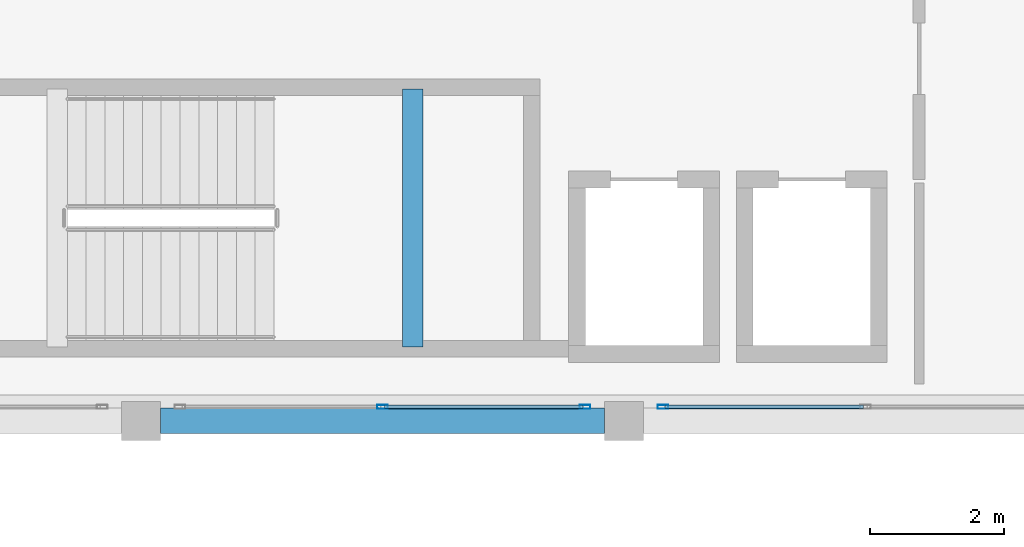
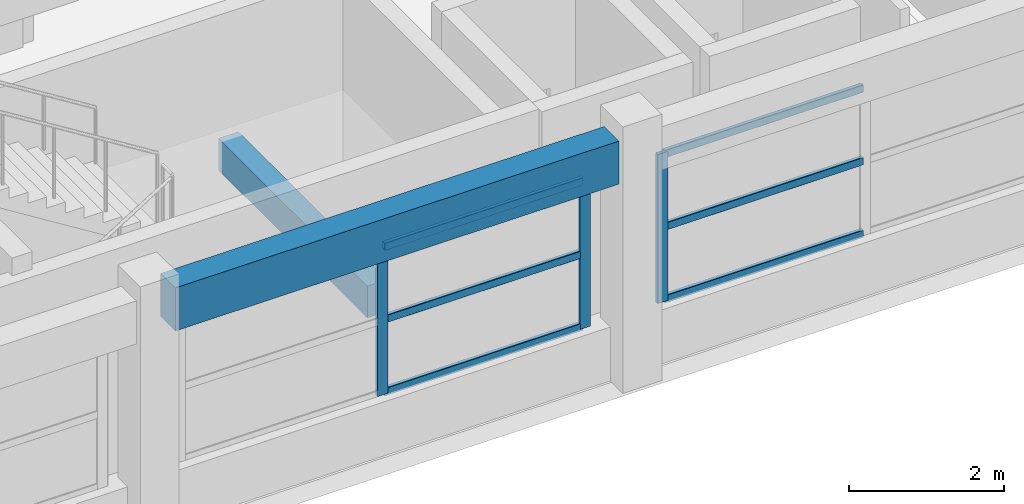
# One storey, part 9 of 49: 9 members, 2 beams, 2 elements without a shape of their own.
"""IFC4 building model written with IfcOpenShell, lengths in metres."""

from ifc_helpers import new_model, si_unit, direction, frame, origin, origin_2d, place, context, subcontext, project, spatial, rectangle, hollow_rectangle, extrude, material, material_profile, profile_set, type_object, element, aggregate, save


model = new_model("IFC4")

# Units and contexts
model_context = context("Model", 3, precision=1e-05, world=origin(), true_north=direction((0.0, 1.0)))
body_context = subcontext(model_context, "Body", "Model", "MODEL_VIEW")
ifc_project = project(units=[si_unit("LENGTHUNIT", "METRE"), si_unit("AREAUNIT", "SQUARE_METRE"), si_unit("VOLUMEUNIT", "CUBIC_METRE"), si_unit("PLANEANGLEUNIT", "RADIAN"), si_unit("MASSUNIT", "GRAM", prefix="KILO")], contexts=[model_context])

# Site, building, storey
site_placement = place(None, origin())
site = spatial("IfcSite", under=ifc_project, at=site_placement, CompositionType="ELEMENT")
building_placement = place(site_placement, origin())
building = spatial("IfcBuilding", under=site, at=building_placement, Name="Bramveld Media Centre", CompositionType="ELEMENT")
storey_placement = place(building_placement, frame((0.0, 0.0, 9.60009765625)))
storey = spatial("IfcBuildingStorey", under=building, at=storey_placement, Name="L02", CompositionType="ELEMENT", Elevation=9.60009765625)

# Beam
ifc_material_1 = material(Name="Concrete C40/50", Category="concrete")
ifc_material_profile_1 = material_profile(ifc_material_1, rectangle(XDim=0.300048828125, YDim=0.5, at=origin_2d()), Name="RC 300x500")
ifc_profile_set_1 = profile_set([ifc_material_profile_1], Name="Concrete C40/50")
beam_type_1 = type_object("IfcBeamType", Name="BM-INT-RC-300x500", PredefinedType="BEAM", material=ifc_profile_set_1)
beam_1_placement = place(storey_placement, frame((76.85009765625, 91.5, 1.64990234375), z_axis=(0.0, 1.0, 0.0), x_axis=(-1.0, 0.0, 0.0)))
element("IfcBeam", 1, at=beam_1_placement, inside=storey, type_object=beam_type_1, Name="ST-07 L02 stairwell half-landing support beam", PredefinedType="BEAM", context=body_context, shape_type="SweptSolid", body=[
    extrude(rectangle(XDim=0.300048828125, YDim=0.5, at=origin_2d()), origin(), (0.0, 0.0, 1.0), 3.85009765625),
])

# Curtain wall, members
ifc_material_2 = material(Name="Thermally broken anodized bronze aluminium unitized curtain wall with solar-control triple glazing", Category="aluminium")
curtain_wall_type = type_object("IfcCurtainWallType", Name="CW-FACV6-6100x2350", PredefinedType="NOTDEFINED", material=ifc_material_2)
curtain_wall_1_placement = place(storey_placement, origin())
curtain_wall_1 = element("IfcCurtainWall", 2, at=curtain_wall_1_placement, inside=storey, type_object=curtain_wall_type, Name="V6 L02 S curtain wall bay 2", PredefinedType="NOTDEFINED")
ifc_material_3 = material(Name="Thermally broken anodized bronze aluminium EN AW-6063 T6 curtain-wall framing", Category="aluminium")
ifc_material_profile_2 = material_profile(ifc_material_3, hollow_rectangle(XDim=0.06005859375, YDim=0.159912109375, WallThickness=0.00390625, InnerFilletRadius=0.00390625, OuterFilletRadius=0.008056640625, at=origin_2d()), Name="AL-MULL 60x160")
ifc_profile_set_2 = profile_set([ifc_material_profile_2], Name="Thermally broken anodized bronze aluminium EN AW-6063 T6 curtain-wall framing")
member_type_1 = type_object("IfcMemberType", Name="CW-MULL-EXT", PredefinedType="MULLION", material=ifc_profile_set_2)
member_1_placement = place(storey_placement, frame((76.39990234375, 90.610107421875, 0.849853515625), z_axis=(0.0, 0.0, 1.0), x_axis=(0.0, 1.0, 0.0)))
member_1 = element("IfcMember", 3, at=member_1_placement, type_object=member_type_1, Name="CW-FA-6123 mullion 2", PredefinedType="MULLION", context=body_context, shape_type="SweptSolid", body=[
    extrude(hollow_rectangle(XDim=0.06005859375, YDim=0.159912109375, WallThickness=0.00390625, InnerFilletRadius=0.00390625, OuterFilletRadius=0.008056640625, at=origin_2d()), origin(), (0.0, 0.0, 1.0), 2.35009765625),
])
member_2_placement = place(storey_placement, frame((79.419921875, 90.610107421875, 0.849853515625), z_axis=(0.0, 0.0, 1.0), x_axis=(0.0, 1.0, 0.0)))
member_2 = element("IfcMember", 4, at=member_2_placement, type_object=member_type_1, Name="CW-FA-6123 mullion 3", PredefinedType="MULLION", context=body_context, shape_type="SweptSolid", body=[
    extrude(hollow_rectangle(XDim=0.06005859375, YDim=0.159912109375, WallThickness=0.00390625, InnerFilletRadius=0.00390625, OuterFilletRadius=0.008056640625, at=origin_2d()), origin(), (0.0, 0.0, 1.0), 2.35009765625),
])

# Curtain wall, member
curtain_wall_2_placement = place(storey_placement, origin())
curtain_wall_2 = element("IfcCurtainWall", 5, at=curtain_wall_2_placement, inside=storey, type_object=curtain_wall_type, Name="V6 L02 S curtain wall bay 3", PredefinedType="NOTDEFINED")
member_3_placement = place(storey_placement, frame((80.580078125, 90.610107421875, 0.849853515625), z_axis=(0.0, 0.0, 1.0), x_axis=(0.0, 1.0, 0.0)))
member_3 = element("IfcMember", 6, at=member_3_placement, type_object=member_type_1, Name="CW-FA-6123 mullion 1", PredefinedType="MULLION", context=body_context, shape_type="SweptSolid", body=[
    extrude(hollow_rectangle(XDim=0.06005859375, YDim=0.159912109375, WallThickness=0.00390625, InnerFilletRadius=0.00390625, OuterFilletRadius=0.008056640625, at=origin_2d()), origin(), (0.0, 0.0, 1.0), 2.35009765625),
])

# Member
ifc_material_4 = material(Name="Thermally broken anodized bronze aluminium EN AW-6063 T6 curtain-wall framing", Category="aluminium")
ifc_material_profile_3 = material_profile(ifc_material_4, hollow_rectangle(XDim=0.06005859375, YDim=0.1201171875, WallThickness=0.00341796875, InnerFilletRadius=0.00341796875, OuterFilletRadius=0.007080078125, at=origin_2d()), Name="AL-TRAN 60x120")
ifc_profile_set_3 = profile_set([ifc_material_profile_3], Name="Thermally broken anodized bronze aluminium EN AW-6063 T6 curtain-wall framing")
member_type_2 = type_object("IfcMemberType", Name="CW-TRAN-EXT", PredefinedType="USERDEFINED", material=ifc_profile_set_3)
member_4_placement = place(storey_placement, frame((76.429931640625, 90.610107421875, 0.8798828125), z_axis=(1.0, 0.0, 0.0), x_axis=(0.0, 1.0, 0.0)))
member_4 = element("IfcMember", 7, at=member_4_placement, type_object=member_type_2, Name="CW-FA-6123 transom 2.1", ObjectType="TRANSOM", PredefinedType="USERDEFINED", context=body_context, shape_type="SweptSolid", body=[
    extrude(hollow_rectangle(XDim=0.06005859375, YDim=0.1201171875, WallThickness=0.00341796875, InnerFilletRadius=0.00341796875, OuterFilletRadius=0.007080078125, at=origin_2d()), origin(), (0.0, 0.0, 1.0), 2.9599609375),
])

member_5_placement = place(storey_placement, frame((76.429931640625, 90.610107421875, 2.02490234375), z_axis=(1.0, 0.0, 0.0), x_axis=(0.0, 1.0, 0.0)))
member_5 = element("IfcMember", 8, at=member_5_placement, type_object=member_type_2, Name="CW-FA-6123 transom 2.2", ObjectType="TRANSOM", PredefinedType="USERDEFINED", context=body_context, shape_type="SweptSolid", body=[
    extrude(hollow_rectangle(XDim=0.06005859375, YDim=0.1201171875, WallThickness=0.00341796875, InnerFilletRadius=0.00341796875, OuterFilletRadius=0.007080078125, at=origin_2d()), origin(), (0.0, 0.0, 1.0), 2.9599609375),
])

member_6_placement = place(storey_placement, frame((76.429931640625, 90.610107421875, 3.169921875), z_axis=(1.0, 0.0, 0.0), x_axis=(0.0, 1.0, 0.0)))
member_6 = element("IfcMember", 9, at=member_6_placement, type_object=member_type_2, Name="CW-FA-6123 transom 2.3", ObjectType="TRANSOM", PredefinedType="USERDEFINED", context=body_context, shape_type="SweptSolid", body=[
    extrude(hollow_rectangle(XDim=0.06005859375, YDim=0.1201171875, WallThickness=0.00341796875, InnerFilletRadius=0.00341796875, OuterFilletRadius=0.007080078125, at=origin_2d()), origin(), (0.0, 0.0, 1.0), 2.9599609375),
])

aggregate(curtain_wall_1, [member_1, member_2, member_4, member_5, member_6])

member_7_placement = place(storey_placement, frame((80.610107421875, 90.610107421875, 0.8798828125), z_axis=(1.0, 0.0, 0.0), x_axis=(0.0, 1.0, 0.0)))
member_7 = element("IfcMember", 10, at=member_7_placement, type_object=member_type_2, Name="CW-FA-6123 transom 1.1", ObjectType="TRANSOM", PredefinedType="USERDEFINED", context=body_context, shape_type="SweptSolid", body=[
    extrude(hollow_rectangle(XDim=0.06005859375, YDim=0.1201171875, WallThickness=0.00341796875, InnerFilletRadius=0.00341796875, OuterFilletRadius=0.007080078125, at=origin_2d()), origin(), (0.0, 0.0, 1.0), 2.9599609375),
])

member_8_placement = place(storey_placement, frame((80.610107421875, 90.610107421875, 2.02490234375), z_axis=(1.0, 0.0, 0.0), x_axis=(0.0, 1.0, 0.0)))
member_8 = element("IfcMember", 11, at=member_8_placement, type_object=member_type_2, Name="CW-FA-6123 transom 1.2", ObjectType="TRANSOM", PredefinedType="USERDEFINED", context=body_context, shape_type="SweptSolid", body=[
    extrude(hollow_rectangle(XDim=0.06005859375, YDim=0.1201171875, WallThickness=0.00341796875, InnerFilletRadius=0.00341796875, OuterFilletRadius=0.007080078125, at=origin_2d()), origin(), (0.0, 0.0, 1.0), 2.9599609375),
])

member_9_placement = place(storey_placement, frame((80.610107421875, 90.610107421875, 3.169921875), z_axis=(1.0, 0.0, 0.0), x_axis=(0.0, 1.0, 0.0)))
member_9 = element("IfcMember", 12, at=member_9_placement, type_object=member_type_2, Name="CW-FA-6123 transom 1.3", ObjectType="TRANSOM", PredefinedType="USERDEFINED", context=body_context, shape_type="SweptSolid", body=[
    extrude(hollow_rectangle(XDim=0.06005859375, YDim=0.1201171875, WallThickness=0.00341796875, InnerFilletRadius=0.00341796875, OuterFilletRadius=0.007080078125, at=origin_2d()), origin(), (0.0, 0.0, 1.0), 2.9599609375),
])

aggregate(curtain_wall_2, [member_3, member_7, member_8, member_9])

# Beam
ifc_material_5 = material(Name="Concrete C40/50", Category="concrete")
ifc_material_profile_4 = material_profile(ifc_material_5, rectangle(XDim=0.3798828125, YDim=0.679931640625, at=origin_2d()), Name="RC 380x680")
ifc_profile_set_4 = profile_set([ifc_material_profile_4], Name="Concrete C40/50")
beam_type_2 = type_object("IfcBeamType", Name="SPANDREL-EXT-RC-380x680", PredefinedType="SPANDREL", material=ifc_profile_set_4)
beam_2_placement = place(storey_placement, frame((73.090087890625, 90.39990234375, 3.579833984375), z_axis=(1.0, 0.0, 0.0), x_axis=(0.0, 1.0, 0.0)))
element("IfcBeam", 13, at=beam_2_placement, inside=storey, type_object=beam_type_2, Name="V6 L02 girder X-1065", PredefinedType="SPANDREL", context=body_context, shape_type="SweptSolid", body=[
    extrude(rectangle(XDim=0.3798828125, YDim=0.679931640625, at=origin_2d()), origin(), (0.0, 0.0, 1.0), 6.619873046875),
])

save(model, "model.ifc")
